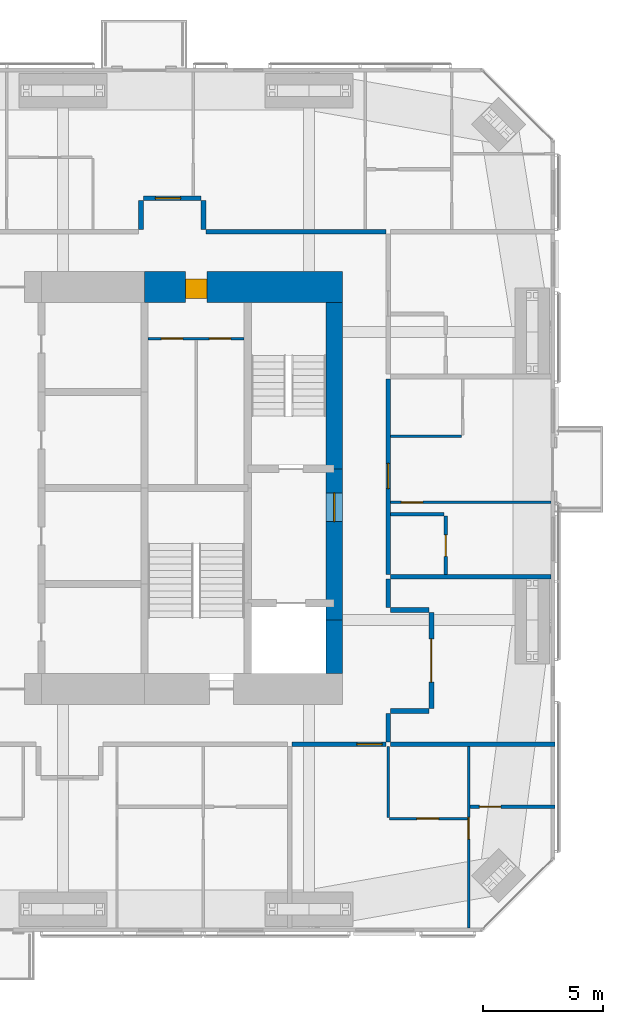
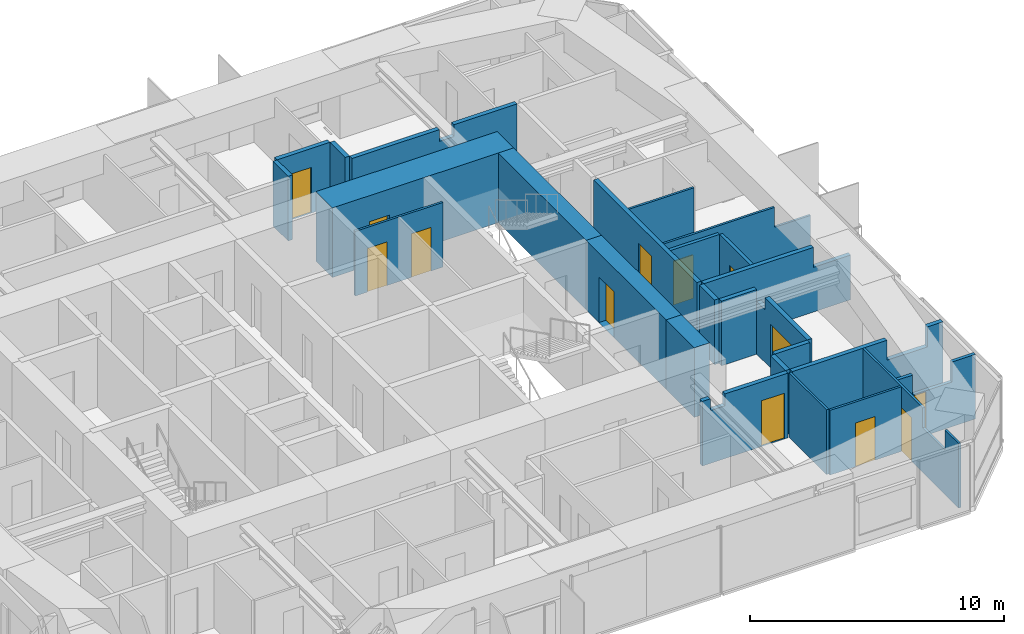
# One storey, part 20 of 23: 26 walls, 13 doors, 13 openings.
"""IFC4 building model written with IfcOpenShell, lengths in metres."""

from ifc_helpers import new_model, si_unit, direction, frame, frame_2d, origin, place, context, subcontext, project, spatial, polyline, rectangle, outline, extrude, material, layer, layer_set, constituent, constituent_set, type_object, element, fill, save


model = new_model("IFC4")

# Units and contexts
model_context = context("Model", 3, precision=1e-05, world=origin(), true_north=direction((0.0, 1.0)))
body_context = subcontext(model_context, "Body", "Model", "MODEL_VIEW")
ifc_project = project(units=[si_unit("LENGTHUNIT", "METRE"), si_unit("AREAUNIT", "SQUARE_METRE"), si_unit("VOLUMEUNIT", "CUBIC_METRE"), si_unit("PLANEANGLEUNIT", "RADIAN"), si_unit("MASSUNIT", "GRAM", prefix="KILO")], contexts=[model_context])

# Site, building, storey
site_placement = place(None, origin())
site = spatial("IfcSite", under=ifc_project, at=site_placement, CompositionType="ELEMENT")
building_placement = place(site_placement, origin())
building = spatial("IfcBuilding", under=site, at=building_placement, Name="Jalousie Tower", CompositionType="ELEMENT")
storey_placement = place(building_placement, frame((0.0, 0.0, 181.14990234375)))
storey = spatial("IfcBuildingStorey", under=building, at=storey_placement, Name="L49", CompositionType="ELEMENT", Elevation=181.14990234375)

# Wall, opening, door
ifc_material_1 = material(Name="Concrete block ASTM C90", Category="concrete")
ifc_constituent_1 = constituent(ifc_material_1, Name="Body")
ifc_material_2 = material(Name="Render")
ifc_constituent_2 = constituent(ifc_material_2, Name="Finish")
ifc_constituent_set_1 = constituent_set(constituents=[ifc_constituent_1, ifc_constituent_2])
wall_type_1 = type_object("IfcWallType", Name="BATHROOM WALL 150", PredefinedType="PLUMBINGWALL", material=ifc_constituent_set_1)
wall_1_placement = place(storey_placement, frame((49.449951171875, 5.22509765625, 0.0), z_axis=(0.0, 0.0, 1.0), x_axis=(1.0, 0.0, 0.0)))
wall_1 = element("IfcWall", 1, at=wall_1_placement, inside=storey, type_object=wall_type_1, Name="Bathroom Wall 150 L49", PredefinedType="PLUMBINGWALL", context=body_context, shape_type="SweptSolid", body=[
    extrude(outline(polyline([(0.0, 0.0), (3.550048828125, 0.0), (3.550048828125, 3.110107421875), (2.4716796875, 3.110107421875), (2.4716796875, 2.150146484375), (0.6865234375, 2.150146484375), (0.6865234375, 3.110107421875), (0.0, 3.110107421875), (0.0, 0.0)])), frame((0.0, 0.074951171875, 0.0), z_axis=(0.0, -1.0, 0.0), x_axis=(1.0, 0.0, 0.0)), (0.0, 0.0, 1.0), 0.14990234375),
])
opening_1_placement = place(wall_1_placement, frame((0.39990234375, 0.0, 0.0)))
opening_1 = element("IfcOpeningElement", 2, at=opening_1_placement, cuts=wall_1, Name="Opening D3", PredefinedType="OPENING", context=body_context, shape_type="SweptSolid", body=[
    extrude(rectangle(XDim=0.89990234375, YDim=2.10009765625, at=frame_2d((0.449951171875, 1.050048828125))), frame((0.0, 0.0849609375, 0.0), z_axis=(0.0, -1.0, 0.0), x_axis=(1.0, 0.0, 0.0)), (0.0, 0.0, 1.0), 0.169921875),
])
ifc_material_3 = material(Name="Timber door", Category="wood")
door_type_1 = type_object("IfcDoorType", Name="BATHROOM DOOR 900", OperationType="SINGLE_SWING_LEFT", PredefinedType="DOOR", material=ifc_material_3)
door_1_placement = place(opening_1_placement, origin())
door_1 = element("IfcDoor", 3, at=door_1_placement, inside=storey, type_object=door_type_1, Name="Apartment 4903 bedroom 1 bathroom door", OperationType="SINGLE_SWING_LEFT", OverallHeight=2.10009765625, OverallWidth=0.89990234375, PredefinedType="DOOR", context=body_context, shape_type="SweptSolid", body=[
    extrude(rectangle(XDim=0.89990234375, YDim=2.10009765625, at=frame_2d((0.449951171875, 1.050048828125))), frame((0.0, 0.02490234375, 0.0), z_axis=(0.0, -1.0, 0.0), x_axis=(1.0, 0.0, 0.0)), (0.0, 0.0, 1.0), 0.050048828125),
])
fill(opening_1, door_1)

wall_2_placement = place(storey_placement, frame((48.449951171875, 14.89990234375, 0.0), z_axis=(0.0, 0.0, 1.0), x_axis=(0.0, 1.0, 0.0)))
wall_2 = element("IfcWall", 4, at=wall_2_placement, inside=storey, type_object=wall_type_1, Name="Bathroom Wall 150 L49", PredefinedType="PLUMBINGWALL", context=body_context, shape_type="SweptSolid", body=[
    extrude(rectangle(XDim=2.425048828125, YDim=0.14990234375, at=frame_2d((1.21240234375, 0.0))), origin(), (0.0, 0.0, 1.0), 3.110107421875),
])
opening_2_placement = place(wall_2_placement, frame((0.75, 0.0, 0.0)))
opening_2 = element("IfcOpeningElement", 5, at=opening_2_placement, cuts=wall_2, Name="Opening D3", PredefinedType="OPENING", context=body_context, shape_type="SweptSolid", body=[
    extrude(rectangle(XDim=0.89990234375, YDim=2.10009765625, at=frame_2d((0.449951171875, 1.050048828125))), frame((0.0, 0.0849609375, 0.0), z_axis=(0.0, -1.0, 0.0), x_axis=(1.0, 0.0, 0.0)), (0.0, 0.0, 1.0), 0.169921875),
])
door_2_placement = place(opening_2_placement, origin())
door_2 = element("IfcDoor", 6, at=door_2_placement, inside=storey, type_object=door_type_1, Name="Apartment 4907 bathroom door", OperationType="SINGLE_SWING_LEFT", OverallHeight=2.10009765625, OverallWidth=0.89990234375, PredefinedType="DOOR", context=body_context, shape_type="SweptSolid", body=[
    extrude(rectangle(XDim=0.89990234375, YDim=2.10009765625, at=frame_2d((0.449951171875, 1.050048828125))), frame((0.0, 0.02490234375, 0.0), z_axis=(0.0, -1.0, 0.0), x_axis=(1.0, 0.0, 0.0)), (0.0, 0.0, 1.0), 0.050048828125),
])
fill(opening_2, door_2)

# Wall
wall_3_placement = place(storey_placement, frame((48.375, 17.39990234375, 0.0), z_axis=(0.0, 0.0, 1.0), x_axis=(-1.0, 0.0, 0.0)))
element("IfcWall", 7, at=wall_3_placement, inside=storey, type_object=wall_type_1, Name="Bathroom Wall 150 L49", PredefinedType="PLUMBINGWALL", context=body_context, shape_type="SweptSolid", body=[
    extrude(rectangle(XDim=2.22509765625, YDim=0.14990234375, at=frame_2d((1.112548828125, 0.0))), origin(), (0.0, 0.0, 1.0), 3.110107421875),
])

# Wall, opening, door
ifc_material_4 = material(Name="Concrete f'c 120 MPa", Category="concrete")
ifc_layer_1 = layer(ifc_material_4, 1.300048828125)
ifc_layer_set_1 = layer_set([ifc_layer_1], Name="Concrete f'c 120 MPa")
wall_type_2 = type_object("IfcWallType", Name="CORE WALL 1300", PredefinedType="SHEAR", material=ifc_layer_set_1)
wall_4_placement = place(storey_placement, frame((44.14990234375, 26.875, 0.0), z_axis=(0.0, 0.0, 1.0), x_axis=(-1.0, 0.0, 0.0)))
wall_4 = element("IfcWall", 8, at=wall_4_placement, inside=storey, type_object=wall_type_2, Name="Core wall NA L49", PredefinedType="SHEAR", context=body_context, shape_type="SweptSolid", body=[
    extrude(rectangle(XDim=8.25, YDim=1.300048828125, at=frame_2d((4.125, 0.0))), origin(), (0.0, 0.0, 1.0), 3.35009765625),
])
opening_3_placement = place(wall_4_placement, frame((5.64990234375, 0.0, 0.0)))
opening_3 = element("IfcOpeningElement", 9, at=opening_3_placement, cuts=wall_4, Name="Opening D25", PredefinedType="OPENING", context=body_context, shape_type="SweptSolid", body=[
    extrude(rectangle(XDim=0.89990234375, YDim=2.10009765625, at=frame_2d((0.449951171875, 1.050048828125))), frame((0.0, 0.659912109375, 0.0), z_axis=(0.0, -1.0, 0.0), x_axis=(1.0, 0.0, 0.0)), (0.0, 0.0, 1.0), 1.320068359375),
])
ifc_material_5 = material(Name="Steel fire door", Category="steel")
door_type_2 = type_object("IfcDoorType", Name="SERVICE LOBBY DOOR 900", OperationType="SINGLE_SWING_LEFT", PredefinedType="DOOR", material=ifc_material_5)
door_3_placement = place(opening_3_placement, origin())
door_3 = element("IfcDoor", 10, at=door_3_placement, inside=storey, type_object=door_type_2, Name="Service lobby door", OperationType="SINGLE_SWING_RIGHT", OverallHeight=2.10009765625, OverallWidth=0.89990234375, PredefinedType="DOOR", context=body_context, shape_type="SweptSolid", body=[
    extrude(rectangle(XDim=0.89990234375, YDim=2.10009765625, at=frame_2d((0.449951171875, 1.050048828125))), frame((0.0, 0.47021484375, 0.0), z_axis=(0.0, -1.0, 0.0), x_axis=(1.0, 0.0, 0.0)), (0.0, 0.0, 1.0), 0.800048828125),
])
fill(opening_3, door_3)

# Wall
ifc_material_6 = material(Name="Concrete f'c 120 MPa", Category="concrete")
ifc_layer_2 = layer(ifc_material_6, 0.699951171875)
ifc_layer_set_2 = layer_set([ifc_layer_2], Name="Concrete f'c 120 MPa")
wall_type_3 = type_object("IfcWallType", Name="CORE WALL 700", PredefinedType="SHEAR", material=ifc_layer_set_2)
wall_5_placement = place(storey_placement, frame((43.800048828125, 10.77490234375, 0.0), z_axis=(0.0, 0.0, 1.0), x_axis=(0.0, 1.0, 0.0)))
element("IfcWall", 11, at=wall_5_placement, inside=storey, type_object=wall_type_3, Name="Core wall EA L49", PredefinedType="SHEAR", context=body_context, shape_type="SweptSolid", body=[
    extrude(rectangle(XDim=2.22509765625, YDim=0.699951171875, at=frame_2d((1.112548828125, 0.0))), origin(), (0.0, 0.0, 1.0), 3.35009765625),
])

# Wall, opening, door
wall_6_placement = place(storey_placement, frame((43.800048828125, 13.0, 0.0), z_axis=(0.0, 0.0, 1.0), x_axis=(0.0, 1.0, 0.0)))
wall_6 = element("IfcWall", 12, at=wall_6_placement, inside=storey, type_object=wall_type_3, Name="Core wall EB L49", PredefinedType="SHEAR", context=body_context, shape_type="SweptSolid", body=[
    extrude(rectangle(XDim=6.300048828125, YDim=0.699951171875, at=frame_2d((3.14990234375, 0.0))), origin(), (0.0, 0.0, 1.0), 3.35009765625),
])
opening_4_placement = place(wall_6_placement, frame((4.10009765625, 0.0, 0.0)))
opening_4 = element("IfcOpeningElement", 13, at=opening_4_placement, cuts=wall_6, Name="Opening D11", PredefinedType="OPENING", context=body_context, shape_type="SweptSolid", body=[
    extrude(rectangle(XDim=1.199951171875, YDim=2.199951171875, at=frame_2d((0.60009765625, 1.10009765625))), frame((0.0, 0.35986328125, 0.0), z_axis=(0.0, -1.0, 0.0), x_axis=(1.0, 0.0, 0.0)), (0.0, 0.0, 1.0), 0.719970703125),
])
ifc_material_7 = material(Name="Steel fire door", Category="steel")
door_type_3 = type_object("IfcDoorType", Name="FIRE DOOR 1200", OperationType="SINGLE_SWING_LEFT", PredefinedType="DOOR", material=ifc_material_7)
door_4_placement = place(opening_4_placement, origin())
door_4 = element("IfcDoor", 14, at=door_4_placement, inside=storey, type_object=door_type_3, Name="Fire-fighting lobby B door", OperationType="SINGLE_SWING_RIGHT", OverallHeight=2.199951171875, OverallWidth=1.199951171875, PredefinedType="DOOR", context=body_context, shape_type="SweptSolid", body=[
    extrude(rectangle(XDim=1.199951171875, YDim=2.199951171875, at=frame_2d((0.60009765625, 1.10009765625))), frame((0.0, 0.02490234375, 0.0), z_axis=(0.0, -1.0, 0.0), x_axis=(1.0, 0.0, 0.0)), (0.0, 0.0, 1.0), 0.050048828125),
])
fill(opening_4, door_4)

# Wall
wall_7_placement = place(storey_placement, frame((43.800048828125, 19.300048828125, 0.0), z_axis=(0.0, 0.0, 1.0), x_axis=(0.0, 1.0, 0.0)))
element("IfcWall", 15, at=wall_7_placement, inside=storey, type_object=wall_type_3, Name="Core wall EC L49", PredefinedType="SHEAR", context=body_context, shape_type="SweptSolid", body=[
    extrude(rectangle(XDim=6.925048828125, YDim=0.699951171875, at=frame_2d((3.46240234375, 0.0))), origin(), (0.0, 0.0, 1.0), 3.35009765625),
])

# Wall, opening, door
ifc_material_8 = material(Name="Concrete block ASTM C90", Category="concrete")
ifc_constituent_3 = constituent(ifc_material_8, Name="Body")
ifc_material_9 = material(Name="Render")
ifc_constituent_4 = constituent(ifc_material_9, Name="Finish")
ifc_constituent_set_2 = constituent_set(constituents=[ifc_constituent_3, ifc_constituent_4])
wall_type_4 = type_object("IfcWallType", Name="CORRIDOR WALL 200", PredefinedType="PARTITIONING", material=ifc_constituent_set_2)
wall_8_placement = place(storey_placement, frame((42.050048828125, 7.824951171875, 0.0), z_axis=(0.0, 0.0, 1.0), x_axis=(1.0, 0.0, 0.0)))
wall_8 = element("IfcWall", 16, at=wall_8_placement, inside=storey, type_object=wall_type_4, Name="Corridor Wall 200 L49", PredefinedType="PARTITIONING", context=body_context, shape_type="SweptSolid", body=[
    extrude(outline(polyline([(0.0, 0.0), (3.89990234375, 0.0), (3.89990234375, 3.110107421875), (1.037353515625, 3.110107421875), (1.037353515625, 2.541015625), (0.362548828125, 2.541015625), (0.362548828125, 3.110107421875), (0.0, 3.110107421875), (0.0, 0.0)])), frame((0.0, 0.10009765625, 0.0), z_axis=(0.0, -1.0, 0.0), x_axis=(1.0, 0.0, 0.0)), (0.0, 0.0, 1.0), 0.199951171875),
])
opening_5_placement = place(wall_8_placement, frame((2.699951171875, 0.0, 0.0)))
opening_5 = element("IfcOpeningElement", 17, at=opening_5_placement, cuts=wall_8, Name="Opening D1", PredefinedType="OPENING", context=body_context, shape_type="SweptSolid", body=[
    extrude(rectangle(XDim=1.050048828125, YDim=2.199951171875, at=frame_2d((0.52490234375, 1.10009765625))), frame((0.0, 0.10986328125, 0.0), z_axis=(0.0, -1.0, 0.0), x_axis=(1.0, 0.0, 0.0)), (0.0, 0.0, 1.0), 0.219970703125),
])
ifc_material_10 = material(Name="Timber fire door", Category="wood")
door_type_4 = type_object("IfcDoorType", Name="APARTMENT ENTRANCE DOOR 1050", OperationType="SINGLE_SWING_LEFT", PredefinedType="DOOR", material=ifc_material_10)
door_5_placement = place(opening_5_placement, frame((1.050048828125, 0.0, 0.0), z_axis=(0.0, 0.0, 1.0), x_axis=(-1.0, 0.0, 0.0)))
door_5 = element("IfcDoor", 18, at=door_5_placement, inside=storey, type_object=door_type_4, Name="Apartment 4903 entrance", OperationType="SINGLE_SWING_LEFT", OverallHeight=2.199951171875, OverallWidth=1.050048828125, PredefinedType="DOOR", context=body_context, shape_type="SweptSolid", body=[
    extrude(rectangle(XDim=1.050048828125, YDim=2.199951171875, at=frame_2d((0.52490234375, 1.10009765625))), frame((0.0, 0.02490234375, 0.0), z_axis=(0.0, -1.0, 0.0), x_axis=(1.0, 0.0, 0.0)), (0.0, 0.0, 1.0), 0.050048828125),
])
fill(opening_5, door_5)

# Wall
wall_9_placement = place(storey_placement, frame((46.050048828125, 7.925048828125, 0.0), z_axis=(0.0, 0.0, 1.0), x_axis=(0.0, 1.0, 0.0)))
element("IfcWall", 19, at=wall_9_placement, inside=storey, type_object=wall_type_4, Name="Corridor Wall 200 L49", PredefinedType="PARTITIONING", context=body_context, shape_type="SweptSolid", body=[
    extrude(rectangle(XDim=1.1875, YDim=0.199951171875, at=frame_2d((0.59375, 0.0))), origin(), (0.0, 0.0, 1.0), 3.110107421875),
])

# Wall, opening, door
wall_10_placement = place(storey_placement, frame((46.050048828125, 14.89990234375, 0.0), z_axis=(0.0, 0.0, 1.0), x_axis=(0.0, 1.0, 0.0)))
wall_10 = element("IfcWall", 20, at=wall_10_placement, inside=storey, type_object=wall_type_4, Name="Corridor Wall 200 L49", PredefinedType="PARTITIONING", context=body_context, shape_type="SweptSolid", body=[
    extrude(rectangle(XDim=8.150146484375, YDim=0.199951171875, at=frame_2d((4.0751953125, 0.0))), origin(), (0.0, 0.0, 1.0), 3.110107421875),
])
opening_6_placement = place(wall_10_placement, frame((3.574951171875, 0.0, 0.0)))
opening_6 = element("IfcOpeningElement", 21, at=opening_6_placement, cuts=wall_10, Name="Opening D1", PredefinedType="OPENING", context=body_context, shape_type="SweptSolid", body=[
    extrude(rectangle(XDim=1.050048828125, YDim=2.199951171875, at=frame_2d((0.52490234375, 1.10009765625))), frame((0.0, 0.10986328125, 0.0), z_axis=(0.0, -1.0, 0.0), x_axis=(1.0, 0.0, 0.0)), (0.0, 0.0, 1.0), 0.219970703125),
])
door_6_placement = place(opening_6_placement, frame((1.050048828125, 0.0, 0.0), z_axis=(0.0, 0.0, 1.0), x_axis=(-1.0, 0.0, 0.0)))
door_6 = element("IfcDoor", 22, at=door_6_placement, inside=storey, type_object=door_type_4, Name="Apartment 4907 entrance", OperationType="SINGLE_SWING_RIGHT", OverallHeight=2.199951171875, OverallWidth=1.050048828125, PredefinedType="DOOR", context=body_context, shape_type="SweptSolid", body=[
    extrude(rectangle(XDim=1.050048828125, YDim=2.199951171875, at=frame_2d((0.52490234375, 1.10009765625))), frame((0.0, 0.02490234375, 0.0), z_axis=(0.0, -1.0, 0.0), x_axis=(1.0, 0.0, 0.0)), (0.0, 0.0, 1.0), 0.050048828125),
])
fill(opening_6, door_6)

# Wall
wall_11_placement = place(storey_placement, frame((38.449951171875, 29.175048828125, 0.0), z_axis=(0.0, 0.0, 1.0), x_axis=(1.0, 0.0, 0.0)))
element("IfcWall", 23, at=wall_11_placement, inside=storey, type_object=wall_type_4, Name="Corridor Wall 200 L49", PredefinedType="PARTITIONING", context=body_context, shape_type="SweptSolid", body=[
    extrude(outline(polyline([(0.0, 0.0), (7.5, 0.0), (7.5, 3.110107421875), (4.63720703125, 3.110107421875), (4.63720703125, 2.541015625), (3.962646484375, 2.541015625), (3.962646484375, 3.110107421875), (0.0, 3.110107421875), (0.0, 0.0)])), frame((0.0, 0.10009765625, 0.0), z_axis=(0.0, -1.0, 0.0), x_axis=(1.0, 0.0, 0.0)), (0.0, 0.0, 1.0), 0.199951171875),
])

# Wall, opening, door
wall_12_placement = place(storey_placement, frame((35.85009765625, 30.574951171875, 0.0), z_axis=(0.0, 0.0, 1.0), x_axis=(1.0, 0.0, 0.0)))
wall_12 = element("IfcWall", 24, at=wall_12_placement, inside=storey, type_object=wall_type_4, Name="Corridor Wall 200 L49", PredefinedType="PARTITIONING", context=body_context, shape_type="SweptSolid", body=[
    extrude(rectangle(XDim=2.39990234375, YDim=0.199951171875, at=frame_2d((1.199951171875, 0.0))), origin(), (0.0, 0.0, 1.0), 3.110107421875),
])
opening_7_placement = place(wall_12_placement, frame((0.5, 0.0, 0.0)))
opening_7 = element("IfcOpeningElement", 25, at=opening_7_placement, cuts=wall_12, Name="Opening D1", PredefinedType="OPENING", context=body_context, shape_type="SweptSolid", body=[
    extrude(rectangle(XDim=1.050048828125, YDim=2.199951171875, at=frame_2d((0.52490234375, 1.10009765625))), frame((0.0, 0.10986328125, 0.0), z_axis=(0.0, -1.0, 0.0), x_axis=(1.0, 0.0, 0.0)), (0.0, 0.0, 1.0), 0.219970703125),
])
door_7_placement = place(opening_7_placement, origin())
door_7 = element("IfcDoor", 26, at=door_7_placement, inside=storey, type_object=door_type_4, Name="Apartment 4904 entrance", OperationType="SINGLE_SWING_RIGHT", OverallHeight=2.199951171875, OverallWidth=1.050048828125, PredefinedType="DOOR", context=body_context, shape_type="SweptSolid", body=[
    extrude(rectangle(XDim=1.050048828125, YDim=2.199951171875, at=frame_2d((0.52490234375, 1.10009765625))), frame((0.0, 0.02490234375, 0.0), z_axis=(0.0, -1.0, 0.0), x_axis=(1.0, 0.0, 0.0)), (0.0, 0.0, 1.0), 0.050048828125),
])
fill(opening_7, door_7)

# Walls
for number, where, z_axis, x_axis, name in (
    (27, (35.75, 29.27490234375, 0.0), (0.0, 0.0, 1.0), (0.0, 1.0, 0.0), "Corridor Wall 200 L49"),
    (28, (38.35009765625, 29.27490234375, 0.0), (0.0, 0.0, 1.0), (0.0, 1.0, 0.0), "Corridor Wall 200 L49"),
):
    element("IfcWall", number, at=place(storey_placement, frame(where, z_axis=z_axis, x_axis=x_axis)), inside=storey, type_object=wall_type_4, Name=name, PredefinedType="PARTITIONING", context=body_context, shape_type="SweptSolid", body=[
        extrude(rectangle(XDim=1.2001953125, YDim=0.199951171875, at=frame_2d((0.60009765625, 0.0))), origin(), (0.0, 0.0, 1.0), 3.110107421875),
    ])
wall_13_placement = place(storey_placement, frame((46.050048828125, 13.512451171875, 0.0), z_axis=(0.0, 0.0, 1.0), x_axis=(0.0, 1.0, 0.0)))
element("IfcWall", 29, at=wall_13_placement, inside=storey, type_object=wall_type_4, Name="Corridor Wall 200 L49", PredefinedType="PARTITIONING", context=body_context, shape_type="SweptSolid", body=[
    extrude(rectangle(XDim=1.1875, YDim=0.199951171875, at=frame_2d((0.59375, 0.0))), origin(), (0.0, 0.0, 1.0), 3.110107421875),
])

# Wall, opening, door
wall_14_placement = place(storey_placement, frame((47.85009765625, 9.3125, 0.0), z_axis=(0.0, 0.0, 1.0), x_axis=(0.0, 1.0, 0.0)))
wall_14 = element("IfcWall", 30, at=wall_14_placement, inside=storey, type_object=wall_type_4, Name="Corridor Wall 200 L49", PredefinedType="PARTITIONING", context=body_context, shape_type="SweptSolid", body=[
    extrude(outline(polyline([(0.0, 0.0), (4.0, 0.0), (4.0, 3.110107421875), (4.0, 2.541015625), (3.35009765625, 2.541015625), (3.35009765625, 3.110107421875), (0.0, 3.110107421875), (0.0, 0.0)])), frame((0.0, 0.10009765625, 0.0), z_axis=(0.0, -1.0, 0.0), x_axis=(1.0, 0.0, 0.0)), (0.0, 0.0, 1.0), 0.199951171875),
])
opening_8_placement = place(wall_14_placement, frame((1.10009765625, 0.0, 0.0)))
opening_8 = element("IfcOpeningElement", 31, at=opening_8_placement, cuts=wall_14, Name="Opening D22", PredefinedType="OPENING", context=body_context, shape_type="SweptSolid", body=[
    extrude(rectangle(XDim=1.800048828125, YDim=2.10009765625, at=frame_2d((0.89990234375, 1.050048828125))), frame((0.0, 0.10986328125, 0.0), z_axis=(0.0, -1.0, 0.0), x_axis=(1.0, 0.0, 0.0)), (0.0, 0.0, 1.0), 0.219970703125),
])
ifc_material_11 = material(Name="Timber fire door", Category="wood")
door_type_5 = type_object("IfcDoorType", Name="CORRIDOR DOUBLE DOOR 1800", OperationType="DOUBLE_DOOR_SINGLE_SWING", PredefinedType="DOOR", material=ifc_material_11)
door_8_placement = place(opening_8_placement, frame((1.800048828125, 0.0, 0.0), z_axis=(0.0, 0.0, 1.0), x_axis=(-1.0, 0.0, 0.0)))
door_8 = element("IfcDoor", 32, at=door_8_placement, inside=storey, type_object=door_type_5, Name="Residents' library door", OperationType="DOUBLE_DOOR_SINGLE_SWING", OverallHeight=2.10009765625, OverallWidth=1.800048828125, PredefinedType="DOOR", context=body_context, shape_type="SweptSolid", body=[
    extrude(rectangle(XDim=1.800048828125, YDim=2.10009765625, at=frame_2d((0.89990234375, 1.050048828125))), frame((0.0, 0.02490234375, 0.0), z_axis=(0.0, -1.0, 0.0), x_axis=(1.0, 0.0, 0.0)), (0.0, 0.0, 1.0), 0.050048828125),
])
fill(opening_8, door_8)

# Walls
for number, where, z_axis, x_axis, name in (
    (33, (46.14990234375, 9.21240234375, 0.0), (0.0, 0.0, 1.0), (1.0, 0.0, 0.0), "Corridor Wall 200 L49"),
    (34, (46.14990234375, 13.41259765625, 0.0), (0.0, 0.0, 1.0), (1.0, 0.0, 0.0), "Corridor Wall 200 L49"),
):
    element("IfcWall", number, at=place(storey_placement, frame(where, z_axis=z_axis, x_axis=x_axis)), inside=storey, type_object=wall_type_4, Name=name, PredefinedType="PARTITIONING", context=body_context, shape_type="SweptSolid", body=[
        extrude(rectangle(XDim=1.60009765625, YDim=0.199951171875, at=frame_2d((0.800048828125, 0.0))), origin(), (0.0, 0.0, 1.0), 3.110107421875),
    ])

# Wall, opening, door
ifc_material_12 = material(Name="Gypsum board", Category="gypsum")
ifc_constituent_5 = constituent(ifc_material_12, Name="Body")
ifc_material_13 = material(Name="Light-gauge steel studs ASTM A653 SS Grade 33", Category="steel")
ifc_constituent_6 = constituent(ifc_material_13, Name="Framing")
ifc_constituent_set_3 = constituent_set(constituents=[ifc_constituent_5, ifc_constituent_6])
wall_type_5 = type_object("IfcWallType", Name="PARTITION 100", PredefinedType="PARTITIONING", material=ifc_constituent_set_3)
wall_15_placement = place(storey_placement, frame((49.39990234375, 0.175048828125, 0.0), z_axis=(0.0, 0.0, 1.0), x_axis=(0.0, 1.0, 0.0)))
wall_15 = element("IfcWall", 35, at=wall_15_placement, inside=storey, type_object=wall_type_5, Name="Partition 100 L49", PredefinedType="PARTITIONING", context=body_context, shape_type="SweptSolid", body=[
    extrude(outline(polyline([(0.0, 0.0), (7.550048828125, 0.0), (7.550048828125, 3.110107421875), (2.825439453125, 3.110107421875), (2.825439453125, 2.150146484375), (1.07861328125, 2.150146484375), (1.07861328125, 3.110107421875), (0.0, 3.110107421875), (0.0, 0.0)])), frame((0.0, 0.050048828125, 0.0), z_axis=(0.0, -1.0, 0.0), x_axis=(1.0, 0.0, 0.0)), (0.0, 0.0, 1.0), 0.10009765625),
])
opening_9_placement = place(wall_15_placement, frame((3.699951171875, 0.0, 0.0)))
opening_9 = element("IfcOpeningElement", 36, at=opening_9_placement, cuts=wall_15, Name="Opening D2", PredefinedType="OPENING", context=body_context, shape_type="SweptSolid", body=[
    extrude(rectangle(XDim=0.89990234375, YDim=2.10009765625, at=frame_2d((0.449951171875, 1.050048828125))), frame((0.0, 0.06005859375, 0.0), z_axis=(0.0, -1.0, 0.0), x_axis=(1.0, 0.0, 0.0)), (0.0, 0.0, 1.0), 0.1201171875),
])
ifc_material_14 = material(Name="Timber door", Category="wood")
door_type_6 = type_object("IfcDoorType", Name="BEDROOM DOOR 900", OperationType="SINGLE_SWING_LEFT", PredefinedType="DOOR", material=ifc_material_14)
door_9_placement = place(opening_9_placement, frame((0.89990234375, 0.0, 0.0), z_axis=(0.0, 0.0, 1.0), x_axis=(-1.0, 0.0, 0.0)))
door_9 = element("IfcDoor", 37, at=door_9_placement, inside=storey, type_object=door_type_6, Name="Apartment 4903 bedroom 1 door", OperationType="SINGLE_SWING_LEFT", OverallHeight=2.10009765625, OverallWidth=0.89990234375, PredefinedType="DOOR", context=body_context, shape_type="SweptSolid", body=[
    extrude(rectangle(XDim=0.89990234375, YDim=2.10009765625, at=frame_2d((0.449951171875, 1.050048828125))), frame((0.0, 0.02490234375, 0.0), z_axis=(0.0, -1.0, 0.0), x_axis=(1.0, 0.0, 0.0)), (0.0, 0.0, 1.0), 0.050048828125),
])
fill(opening_9, door_9)

wall_16_placement = place(storey_placement, frame((46.10009765625, 4.72509765625, 0.0), z_axis=(0.0, 0.0, 1.0), x_axis=(1.0, 0.0, 0.0)))
wall_16 = element("IfcWall", 38, at=wall_16_placement, inside=storey, type_object=wall_type_5, Name="Partition 100 L49", PredefinedType="PARTITIONING", context=body_context, shape_type="SweptSolid", body=[
    extrude(rectangle(XDim=3.25, YDim=0.10009765625, at=frame_2d((1.625, 0.0))), origin(), (0.0, 0.0, 1.0), 3.110107421875),
])
opening_10_placement = place(wall_16_placement, frame((1.14990234375, 0.0, 0.0)))
opening_10 = element("IfcOpeningElement", 39, at=opening_10_placement, cuts=wall_16, Name="Opening D7", PredefinedType="OPENING", context=body_context, shape_type="SweptSolid", body=[
    extrude(rectangle(XDim=0.89990234375, YDim=2.10009765625, at=frame_2d((0.449951171875, 1.050048828125))), frame((0.0, 0.06005859375, 0.0), z_axis=(0.0, -1.0, 0.0), x_axis=(1.0, 0.0, 0.0)), (0.0, 0.0, 1.0), 0.1201171875),
])
ifc_material_15 = material(Name="Timber door", Category="wood")
door_type_7 = type_object("IfcDoorType", Name="INTERNAL DOOR 900", OperationType="SINGLE_SWING_LEFT", PredefinedType="DOOR", material=ifc_material_15)
door_10_placement = place(opening_10_placement, frame((0.89990234375, 0.0, 0.0), z_axis=(0.0, 0.0, 1.0), x_axis=(-1.0, 0.0, 0.0)))
door_10 = element("IfcDoor", 40, at=door_10_placement, inside=storey, type_object=door_type_7, Name="Apartment 4903 kitchen door", OperationType="SINGLE_SWING_LEFT", OverallHeight=2.10009765625, OverallWidth=0.89990234375, PredefinedType="DOOR", context=body_context, shape_type="SweptSolid", body=[
    extrude(rectangle(XDim=0.89990234375, YDim=2.10009765625, at=frame_2d((0.449951171875, 1.050048828125))), frame((0.0, 0.02490234375, 0.0), z_axis=(0.0, -1.0, 0.0), x_axis=(1.0, 0.0, 0.0)), (0.0, 0.0, 1.0), 0.050048828125),
])
fill(opening_10, door_10)

# Wall
wall_17_placement = place(storey_placement, frame((46.050048828125, 4.77490234375, 0.0), z_axis=(0.0, 0.0, 1.0), x_axis=(0.0, 1.0, 0.0)))
element("IfcWall", 41, at=wall_17_placement, inside=storey, type_object=wall_type_5, Name="Partition 100 L49", PredefinedType="PARTITIONING", context=body_context, shape_type="SweptSolid", body=[
    extrude(rectangle(XDim=2.9501953125, YDim=0.10009765625, at=frame_2d((1.47509765625, 0.0))), origin(), (0.0, 0.0, 1.0), 3.110107421875),
])

# Wall, opening, door
wall_18_placement = place(storey_placement, frame((52.824951171875, 17.89990234375, 0.0), z_axis=(0.0, 0.0, 1.0), x_axis=(-1.0, 0.0, 0.0)))
wall_18 = element("IfcWall", 42, at=wall_18_placement, inside=storey, type_object=wall_type_5, Name="Partition 100 L49", PredefinedType="PARTITIONING", context=body_context, shape_type="SweptSolid", body=[
    extrude(outline(polyline([(0.0, 0.0), (6.675048828125, 0.0), (6.675048828125, 3.110107421875), (1.635009765625, 3.110107421875), (1.635009765625, 2.150146484375), (0.0, 2.150146484375), (0.0, 3.110107421875), (0.0, 0.0)])), frame((0.0, 0.050048828125, 0.0), z_axis=(0.0, -1.0, 0.0), x_axis=(1.0, 0.0, 0.0)), (0.0, 0.0, 1.0), 0.10009765625),
])
opening_11_placement = place(wall_18_placement, frame((5.324951171875, 0.0, 0.0)))
opening_11 = element("IfcOpeningElement", 43, at=opening_11_placement, cuts=wall_18, Name="Opening D2", PredefinedType="OPENING", context=body_context, shape_type="SweptSolid", body=[
    extrude(rectangle(XDim=0.89990234375, YDim=2.10009765625, at=frame_2d((0.449951171875, 1.050048828125))), frame((0.0, 0.06005859375, 0.0), z_axis=(0.0, -1.0, 0.0), x_axis=(1.0, 0.0, 0.0)), (0.0, 0.0, 1.0), 0.1201171875),
])
door_11_placement = place(opening_11_placement, frame((0.89990234375, 0.0, 0.0), z_axis=(0.0, 0.0, 1.0), x_axis=(-1.0, 0.0, 0.0)))
door_11 = element("IfcDoor", 44, at=door_11_placement, inside=storey, type_object=door_type_6, Name="Apartment 4907 study door", OperationType="SINGLE_SWING_LEFT", OverallHeight=2.10009765625, OverallWidth=0.89990234375, PredefinedType="DOOR", context=body_context, shape_type="SweptSolid", body=[
    extrude(rectangle(XDim=0.89990234375, YDim=2.10009765625, at=frame_2d((0.449951171875, 1.050048828125))), frame((0.0, 0.02490234375, 0.0), z_axis=(0.0, -1.0, 0.0), x_axis=(1.0, 0.0, 0.0)), (0.0, 0.0, 1.0), 0.050048828125),
])
fill(opening_11, door_11)

# Wall
wall_19_placement = place(storey_placement, frame((49.10009765625, 20.64990234375, 0.0), z_axis=(0.0, 0.0, 1.0), x_axis=(-1.0, 0.0, 0.0)))
element("IfcWall", 45, at=wall_19_placement, inside=storey, type_object=wall_type_5, Name="Partition 100 L49", PredefinedType="PARTITIONING", context=body_context, shape_type="SweptSolid", body=[
    extrude(rectangle(XDim=2.9501953125, YDim=0.10009765625, at=frame_2d((1.47509765625, 0.0))), origin(), (0.0, 0.0, 1.0), 3.110107421875),
])

# Wall, openings, doors
wall_20_placement = place(storey_placement, frame((36.050048828125, 24.72509765625, 0.0), z_axis=(0.0, 0.0, 1.0), x_axis=(1.0, 0.0, 0.0)))
wall_20 = element("IfcWall", 46, at=wall_20_placement, inside=storey, type_object=wall_type_5, Name="Partition 100 L49", PredefinedType="PARTITIONING", context=body_context, shape_type="SweptSolid", body=[
    extrude(rectangle(XDim=4.0, YDim=0.10009765625, at=frame_2d((2.0, 0.0))), origin(), (0.0, 0.0, 1.0), 3.110107421875),
])
opening_12_placement = place(wall_20_placement, frame((0.550048828125, 0.0, 0.0)))
opening_12 = element("IfcOpeningElement", 47, at=opening_12_placement, cuts=wall_20, Name="Opening D7", PredefinedType="OPENING", context=body_context, shape_type="SweptSolid", body=[
    extrude(rectangle(XDim=0.89990234375, YDim=2.10009765625, at=frame_2d((0.449951171875, 1.050048828125))), frame((0.0, 0.06005859375, 0.0), z_axis=(0.0, -1.0, 0.0), x_axis=(1.0, 0.0, 0.0)), (0.0, 0.0, 1.0), 0.1201171875),
])
opening_13_placement = place(wall_20_placement, frame((2.550048828125, 0.0, 0.0)))
opening_13 = element("IfcOpeningElement", 48, at=opening_13_placement, cuts=wall_20, Name="Opening D7", PredefinedType="OPENING", context=body_context, shape_type="SweptSolid", body=[
    extrude(rectangle(XDim=0.89990234375, YDim=2.10009765625, at=frame_2d((0.449951171875, 1.050048828125))), frame((0.0, 0.06005859375, 0.0), z_axis=(0.0, -1.0, 0.0), x_axis=(1.0, 0.0, 0.0)), (0.0, 0.0, 1.0), 0.1201171875),
])
door_12_placement = place(opening_12_placement, frame((0.89990234375, 0.0, 0.0), z_axis=(0.0, 0.0, 1.0), x_axis=(-1.0, 0.0, 0.0)))
door_12 = element("IfcDoor", 49, at=door_12_placement, inside=storey, type_object=door_type_7, Name="Cleaner's store door", OperationType="SINGLE_SWING_LEFT", OverallHeight=2.10009765625, OverallWidth=0.89990234375, PredefinedType="DOOR", context=body_context, shape_type="SweptSolid", body=[
    extrude(rectangle(XDim=0.89990234375, YDim=2.10009765625, at=frame_2d((0.449951171875, 1.050048828125))), frame((0.0, 0.02490234375, 0.0), z_axis=(0.0, -1.0, 0.0), x_axis=(1.0, 0.0, 0.0)), (0.0, 0.0, 1.0), 0.050048828125),
])
fill(opening_12, door_12)
door_13_placement = place(opening_13_placement, frame((0.89990234375, 0.0, 0.0), z_axis=(0.0, 0.0, 1.0), x_axis=(-1.0, 0.0, 0.0)))
door_13 = element("IfcDoor", 50, at=door_13_placement, inside=storey, type_object=door_type_7, Name="Linen store door", OperationType="SINGLE_SWING_RIGHT", OverallHeight=2.10009765625, OverallWidth=0.89990234375, PredefinedType="DOOR", context=body_context, shape_type="SweptSolid", body=[
    extrude(rectangle(XDim=0.89990234375, YDim=2.10009765625, at=frame_2d((0.449951171875, 1.050048828125))), frame((0.0, 0.02490234375, 0.0), z_axis=(0.0, -1.0, 0.0), x_axis=(1.0, 0.0, 0.0)), (0.0, 0.0, 1.0), 0.050048828125),
])
fill(opening_13, door_13)

# Walls
ifc_material_16 = material(Name="Concrete block ASTM C90", Category="concrete")
ifc_constituent_7 = constituent(ifc_material_16, Name="Body")
ifc_material_17 = material(Name="Render")
ifc_constituent_8 = constituent(ifc_material_17, Name="Finish")
ifc_constituent_set_4 = constituent_set(constituents=[ifc_constituent_7, ifc_constituent_8])
wall_type_6 = type_object("IfcWallType", Name="PARTY WALL 200", PredefinedType="PARTITIONING", material=ifc_constituent_set_4)
wall_21_placement = place(storey_placement, frame((46.14990234375, 7.824951171875, 0.0), z_axis=(0.0, 0.0, 1.0), x_axis=(1.0, 0.0, 0.0)))
element("IfcWall", 51, at=wall_21_placement, inside=storey, type_object=wall_type_6, Name="Party Wall 200 L49", PredefinedType="PARTITIONING", context=body_context, shape_type="SweptSolid", body=[
    extrude(outline(polyline([(0.0, 0.0), (6.85009765625, 0.0), (6.85009765625, 3.110107421875), (6.138427734375, 3.110107421875), (6.138427734375, 2.150146484375), (4.302734375, 2.150146484375), (4.302734375, 3.110107421875), (0.0, 3.110107421875), (0.0, 0.0)])), frame((0.0, 0.10009765625, 0.0), z_axis=(0.0, -1.0, 0.0), x_axis=(1.0, 0.0, 0.0)), (0.0, 0.0, 1.0), 0.199951171875),
])
wall_22_placement = place(storey_placement, frame((52.824951171875, 14.800048828125, 0.0), z_axis=(0.0, 0.0, 1.0), x_axis=(-1.0, 0.0, 0.0)))
element("IfcWall", 52, at=wall_22_placement, inside=storey, type_object=wall_type_6, Name="Party Wall 200 L49", PredefinedType="PARTITIONING", context=body_context, shape_type="SweptSolid", body=[
    extrude(outline(polyline([(0.0, 0.0), (6.675048828125, 0.0), (6.675048828125, 3.110107421875), (1.68505859375, 3.110107421875), (1.68505859375, 2.150146484375), (0.0, 2.150146484375), (0.0, 3.110107421875), (0.0, 0.0)])), frame((0.0, 0.10009765625, 0.0), z_axis=(0.0, -1.0, 0.0), x_axis=(1.0, 0.0, 0.0)), (0.0, 0.0, 1.0), 0.199951171875),
])

save(model, "model.ifc")
